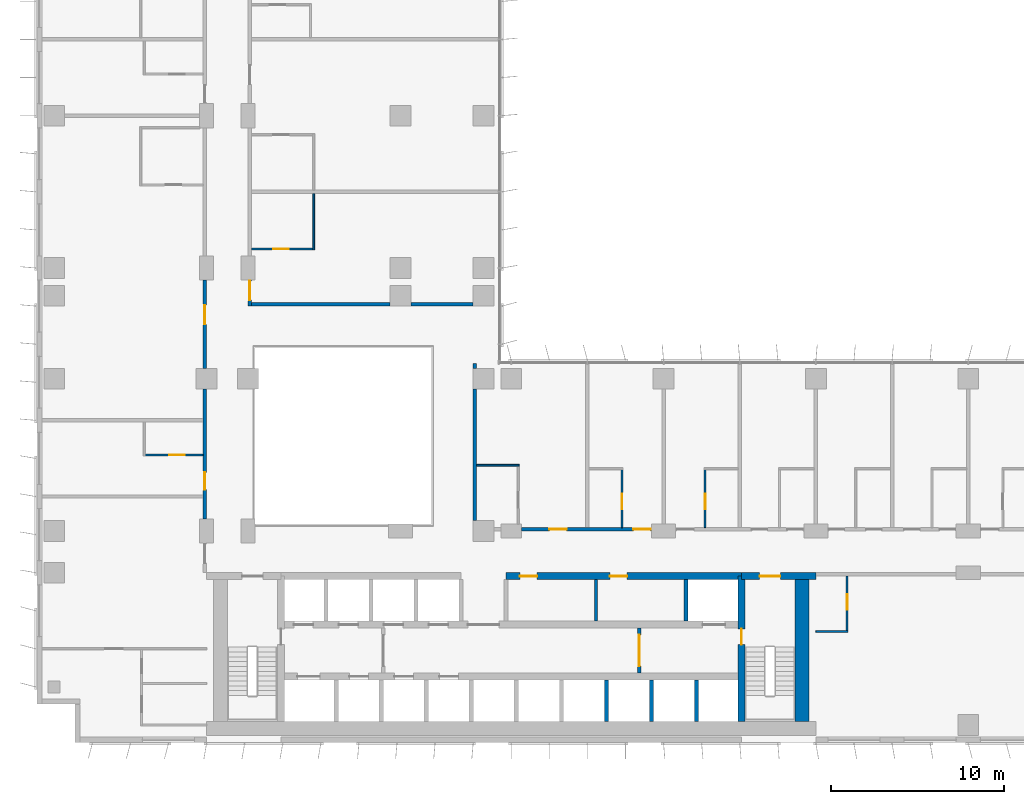
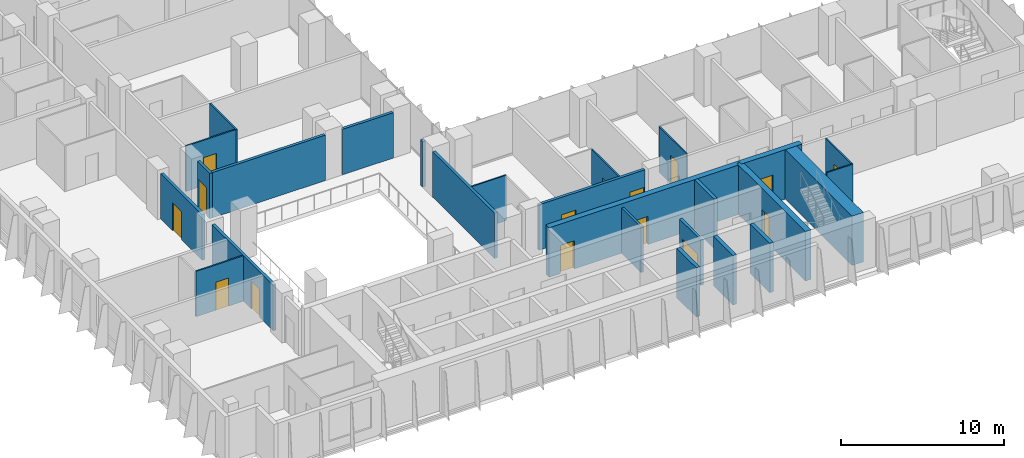
# One storey, part 13 of 22: 26 walls, 15 doors, 15 openings.
"""IFC4 building model written with IfcOpenShell, lengths in metres."""

from ifc_helpers import new_model, si_unit, direction, frame, frame_2d, origin, place, context, subcontext, project, spatial, rectangle, extrude, material, layer, layer_set, type_object, element, fill, save


model = new_model("IFC4")

# Units and contexts
model_context = context("Model", 3, precision=1e-05, world=origin(), true_north=direction((0.0, 1.0)))
body_context = subcontext(model_context, "Body", "Model", "MODEL_VIEW")
ifc_project = project(units=[si_unit("LENGTHUNIT", "METRE"), si_unit("AREAUNIT", "SQUARE_METRE"), si_unit("VOLUMEUNIT", "CUBIC_METRE"), si_unit("PLANEANGLEUNIT", "RADIAN"), si_unit("MASSUNIT", "GRAM", prefix="KILO")], contexts=[model_context])

# Site, building, storey
site_placement = place(None, origin())
site = spatial("IfcSite", under=ifc_project, at=site_placement, CompositionType="ELEMENT")
building_placement = place(site_placement, origin())
building = spatial("IfcBuilding", under=site, at=building_placement, Name="Kemantara Hotel Tower", CompositionType="ELEMENT")
storey_placement = place(building_placement, frame((0.0, 0.0, 107.39990234375)))
storey = spatial("IfcBuildingStorey", under=building, at=storey_placement, Name="L25", CompositionType="ELEMENT", Elevation=107.39990234375)

# Walls
ifc_material_1 = material(Name="Concrete fc 70 MPa", Category="concrete")
ifc_layer_1 = layer(ifc_material_1, 0.25)
ifc_layer_set_1 = layer_set([ifc_layer_1], Name="Concrete fc 70 MPa")
wall_type_1 = type_object("IfcWallType", Name="CORE WALL 250 FC70", PredefinedType="SHEAR", material=ifc_layer_set_1)
for number, where, z_axis, x_axis, name in (
    (1, (32.89990234375, 1.199951171875, 0.0), (0.0, 0.0, 1.0), (0.0, 1.0, 0.0), "CORE WALL CW-DS32.9"),
    (2, (35.5, 1.199951171875, 0.0), (0.0, 0.0, 1.0), (0.0, 1.0, 0.0), "CORE WALL CW-DS35.5"),
    (3, (38.10009765625, 1.199951171875, 0.0), (0.0, 0.0, 1.0), (0.0, 1.0, 0.0), "CORE WALL CW-DS38.1"),
):
    element("IfcWall", number, at=place(storey_placement, frame(where, z_axis=z_axis, x_axis=x_axis)), inside=storey, type_object=wall_type_1, Name=name, PredefinedType="SHEAR", context=body_context, shape_type="SweptSolid", body=[
        extrude(rectangle(XDim=2.400146484375, YDim=0.25, at=frame_2d((1.2001953125, 0.0))), origin(), (0.0, 0.0, 1.0), 3.7001953125),
    ])
wall_1_placement = place(storey_placement, frame((37.5, 7.0, 0.0), z_axis=(0.0, 0.0, 1.0), x_axis=(0.0, 1.0, 0.0)))
element("IfcWall", 4, at=wall_1_placement, inside=storey, type_object=wall_type_1, Name="CORE WALL CW-DN37.5", PredefinedType="SHEAR", context=body_context, shape_type="SweptSolid", body=[
    extrude(rectangle(XDim=2.39990234375, YDim=0.25, at=frame_2d((1.199951171875, 0.0))), origin(), (0.0, 0.0, 1.0), 3.7001953125),
])

# Wall, opening, door
ifc_layer_2 = layer(ifc_material_1, 0.39990234375)
ifc_layer_set_2 = layer_set([ifc_layer_2], Name="Concrete fc 70 MPa")
wall_type_2 = type_object("IfcWallType", Name="CORE WALL 400 FC70", PredefinedType="SHEAR", material=ifc_layer_set_2)
wall_2_placement = place(storey_placement, frame((40.699951171875, 9.60009765625, 0.0), z_axis=(0.0, 0.0, 1.0), x_axis=(1.0, 0.0, 0.0)))
wall_2 = element("IfcWall", 5, at=wall_2_placement, inside=storey, type_object=wall_type_2, Name="CORE WALL CW-N2", PredefinedType="SHEAR", context=body_context, shape_type="SweptSolid", body=[
    extrude(rectangle(XDim=4.300048828125, YDim=0.39990234375, at=frame_2d((2.14990234375, 0.0))), origin(), (0.0, 0.0, 1.0), 3.7001953125),
])
opening_1_placement = place(wall_2_placement, frame((1.050048828125, 0.0, 0.0)))
opening_1 = element("IfcOpeningElement", 6, at=opening_1_placement, cuts=wall_2, Name="Opening C18-ST2-C", PredefinedType="OPENING", context=body_context, shape_type="SweptSolid", body=[
    extrude(rectangle(XDim=1.199951171875, YDim=2.10009765625, at=frame_2d((0.60009765625, 1.050048828125))), frame((0.0, 0.2099609375, 0.0), z_axis=(0.0, -1.0, 0.0), x_axis=(1.0, 0.0, 0.0)), (0.0, 0.0, 1.0), 0.419921875),
])
ifc_material_2 = material(Name="Steel fire door", Category="steel")
door_type_1 = type_object("IfcDoorType", Name="Fire door FD90 1200 x 2100", OperationType="NOTDEFINED", PredefinedType="DOOR", material=ifc_material_2)
door_1_placement = place(opening_1_placement, frame((1.199951171875, 0.0, 0.0), z_axis=(0.0, 0.0, 1.0), x_axis=(-1.0, 0.0, 0.0)))
door_1 = element("IfcDoor", 7, at=door_1_placement, inside=storey, type_object=door_type_1, Name="Stair ST2 door to corridor", OperationType="SINGLE_SWING_RIGHT", OverallHeight=2.10009765625, OverallWidth=1.199951171875, PredefinedType="DOOR", context=body_context, shape_type="SweptSolid", body=[
    extrude(rectangle(XDim=1.199951171875, YDim=2.10009765625, at=frame_2d((0.60009765625, 1.050048828125))), frame((0.0, 0.02490234375, 0.0), z_axis=(0.0, -1.0, 0.0), x_axis=(1.0, 0.0, 0.0)), (0.0, 0.0, 1.0), 0.050048828125),
])
fill(opening_1, door_1)

# Wall, openings, doors
wall_3_placement = place(storey_placement, frame((27.10009765625, 9.60009765625, 0.0), z_axis=(0.0, 0.0, 1.0), x_axis=(1.0, 0.0, 0.0)))
wall_3 = element("IfcWall", 8, at=wall_3_placement, inside=storey, type_object=wall_type_2, Name="CORE WALL CW-NN2", PredefinedType="SHEAR", context=body_context, shape_type="SweptSolid", body=[
    extrude(rectangle(XDim=13.599853515625, YDim=0.39990234375, at=frame_2d((6.7998046875, 0.0))), origin(), (0.0, 0.0, 1.0), 3.7001953125),
])
opening_2_placement = place(wall_3_placement, frame((0.800048828125, 0.0, 0.0)))
opening_2 = element("IfcOpeningElement", 9, at=opening_2_placement, cuts=wall_3, Name="Opening C18-R-NE1", PredefinedType="OPENING", context=body_context, shape_type="SweptSolid", body=[
    extrude(rectangle(XDim=1.0, YDim=2.10009765625, at=frame_2d((0.5, 1.050048828125))), frame((0.0, 0.2099609375, 0.0), z_axis=(0.0, -1.0, 0.0), x_axis=(1.0, 0.0, 0.0)), (0.0, 0.0, 1.0), 0.419921875),
])
opening_3_placement = place(wall_3_placement, frame((6.0, 0.0, 0.0)))
opening_3 = element("IfcOpeningElement", 10, at=opening_3_placement, cuts=wall_3, Name="Opening C18-R-NE2", PredefinedType="OPENING", context=body_context, shape_type="SweptSolid", body=[
    extrude(rectangle(XDim=1.0, YDim=2.10009765625, at=frame_2d((0.5, 1.050048828125))), frame((0.0, 0.2099609375, 0.0), z_axis=(0.0, -1.0, 0.0), x_axis=(1.0, 0.0, 0.0)), (0.0, 0.0, 1.0), 0.419921875),
])
door_type_2 = type_object("IfcDoorType", Name="Fire door FD30S 1000 x 2100", OperationType="NOTDEFINED", PredefinedType="DOOR", material=ifc_material_2)
door_2_placement = place(opening_2_placement, frame((1.0, 0.0, 0.0), z_axis=(0.0, 0.0, 1.0), x_axis=(-1.0, 0.0, 0.0)))
door_2 = element("IfcDoor", 11, at=door_2_placement, inside=storey, type_object=door_type_2, Name="Linen Store door", OperationType="SINGLE_SWING_RIGHT", OverallHeight=2.10009765625, OverallWidth=1.0, PredefinedType="DOOR", context=body_context, shape_type="SweptSolid", body=[
    extrude(rectangle(XDim=1.0, YDim=2.10009765625, at=frame_2d((0.5, 1.050048828125))), frame((0.0, 0.02490234375, 0.0), z_axis=(0.0, -1.0, 0.0), x_axis=(1.0, 0.0, 0.0)), (0.0, 0.0, 1.0), 0.050048828125),
])
fill(opening_2, door_2)
door_3_placement = place(opening_3_placement, frame((1.0, 0.0, 0.0), z_axis=(0.0, 0.0, 1.0), x_axis=(-1.0, 0.0, 0.0)))
door_3 = element("IfcDoor", 12, at=door_3_placement, inside=storey, type_object=door_type_2, Name="Staff Lounge door", OperationType="SINGLE_SWING_RIGHT", OverallHeight=2.10009765625, OverallWidth=1.0, PredefinedType="DOOR", context=body_context, shape_type="SweptSolid", body=[
    extrude(rectangle(XDim=1.0, YDim=2.10009765625, at=frame_2d((0.5, 1.050048828125))), frame((0.0, 0.02490234375, 0.0), z_axis=(0.0, -1.0, 0.0), x_axis=(1.0, 0.0, 0.0)), (0.0, 0.0, 1.0), 0.050048828125),
])
fill(opening_3, door_3)

# Wall, opening, door
wall_4_placement = place(storey_placement, frame((40.699951171875, 1.199951171875, 0.0), z_axis=(0.0, 0.0, 1.0), x_axis=(0.0, 1.0, 0.0)))
wall_4 = element("IfcWall", 13, at=wall_4_placement, inside=storey, type_object=wall_type_2, Name="CORE WALL CW-ST2W", PredefinedType="SHEAR", context=body_context, shape_type="SweptSolid", body=[
    extrude(rectangle(XDim=8.400146484375, YDim=0.39990234375, at=frame_2d((4.2001953125, 0.0))), origin(), (0.0, 0.0, 1.0), 3.7001953125),
])
opening_4_placement = place(wall_4_placement, frame((4.449951171875, 0.0, 0.0)))
opening_4 = element("IfcOpeningElement", 14, at=opening_4_placement, cuts=wall_4, Name="Opening C18-ST2-F", PredefinedType="OPENING", context=body_context, shape_type="SweptSolid", body=[
    extrude(rectangle(XDim=0.89990234375, YDim=2.10009765625, at=frame_2d((0.449951171875, 1.050048828125))), frame((0.0, 0.2099609375, 0.0), z_axis=(0.0, -1.0, 0.0), x_axis=(1.0, 0.0, 0.0)), (0.0, 0.0, 1.0), 0.419921875),
])
door_type_3 = type_object("IfcDoorType", Name="Fire door FD90 900 x 2100", OperationType="NOTDEFINED", PredefinedType="DOOR", material=ifc_material_2)
door_4_placement = place(opening_4_placement, frame((0.89990234375, 0.0, 0.0), z_axis=(0.0, 0.0, 1.0), x_axis=(-1.0, 0.0, 0.0)))
door_4 = element("IfcDoor", 15, at=door_4_placement, inside=storey, type_object=door_type_3, Name="Stair ST2 door to firefighting lobby", OperationType="SINGLE_SWING_LEFT", OverallHeight=2.10009765625, OverallWidth=0.89990234375, PredefinedType="DOOR", context=body_context, shape_type="SweptSolid", body=[
    extrude(rectangle(XDim=0.89990234375, YDim=2.10009765625, at=frame_2d((0.449951171875, 1.050048828125))), frame((0.0, 0.02490234375, 0.0), z_axis=(0.0, -1.0, 0.0), x_axis=(1.0, 0.0, 0.0)), (0.0, 0.0, 1.0), 0.050048828125),
])
fill(opening_4, door_4)

# Wall
ifc_layer_3 = layer(ifc_material_1, 0.800048828125)
ifc_layer_set_3 = layer_set([ifc_layer_3], Name="Concrete fc 70 MPa")
wall_type_3 = type_object("IfcWallType", Name="CORE WALL 800 FC70", PredefinedType="SHEAR", material=ifc_layer_set_3)
wall_5_placement = place(storey_placement, frame((44.199951171875, 1.199951171875, 0.0), z_axis=(0.0, 0.0, 1.0), x_axis=(0.0, 1.0, 0.0)))
element("IfcWall", 16, at=wall_5_placement, inside=storey, type_object=wall_type_3, Name="CORE WALL CW-E", PredefinedType="SHEAR", context=body_context, shape_type="SweptSolid", body=[
    extrude(rectangle(XDim=8.60009765625, YDim=0.800048828125, at=frame_2d((4.300048828125, 0.0))), origin(), (0.0, 0.0, 1.0), 3.7001953125),
])

# Wall, openings, doors
ifc_material_3 = material(Name="Gypsum board partition, steel studs and mineral wool, 200 mm", Category="steel")
ifc_layer_4 = layer(ifc_material_3, 0.199951171875)
ifc_layer_set_4 = layer_set([ifc_layer_4], Name="Gypsum board partition, steel studs and mineral wool, 200 mm")
wall_type_4 = type_object("IfcWallType", Name="CORRIDOR WALL 200", PredefinedType="PARTITIONING", material=ifc_layer_set_4)
wall_6_placement = place(storey_placement, frame((28.0, 12.300048828125, 0.0), z_axis=(0.0, 0.0, 1.0), x_axis=(1.0, 0.0, 0.0)))
wall_6 = element("IfcWall", 17, at=wall_6_placement, inside=storey, type_object=wall_type_4, Name="CORRIDOR WALL 200 004", PredefinedType="PARTITIONING", context=body_context, shape_type="SweptSolid", body=[
    extrude(rectangle(XDim=7.5, YDim=0.199951171875, at=frame_2d((3.75, 0.0))), origin(), (0.0, 0.0, 1.0), 3.400146484375),
])
opening_5_placement = place(wall_6_placement, frame((1.599853515625, 0.0, 0.0)))
opening_5 = element("IfcOpeningElement", 18, at=opening_5_placement, cuts=wall_6, Name="Opening F11-003", PredefinedType="OPENING", context=body_context, shape_type="SweptSolid", body=[
    extrude(rectangle(XDim=1.0, YDim=2.10009765625, at=frame_2d((0.5, 1.050048828125))), frame((0.0, 0.10986328125, 0.0), z_axis=(0.0, -1.0, 0.0), x_axis=(1.0, 0.0, 0.0)), (0.0, 0.0, 1.0), 0.219970703125),
])
opening_6_placement = place(wall_6_placement, frame((6.449951171875, 0.0, 0.0)))
opening_6 = element("IfcOpeningElement", 19, at=opening_6_placement, cuts=wall_6, Name="Opening F11-005", PredefinedType="OPENING", context=body_context, shape_type="SweptSolid", body=[
    extrude(rectangle(XDim=1.0, YDim=2.10009765625, at=frame_2d((0.5, 1.050048828125))), frame((0.0, 0.10986328125, 0.0), z_axis=(0.0, -1.0, 0.0), x_axis=(1.0, 0.0, 0.0)), (0.0, 0.0, 1.0), 0.219970703125),
])
ifc_material_4 = material(Name="Hardwood veneer door leaf with steel frame", Category="steel")
door_type_4 = type_object("IfcDoorType", Name="GUEST ROOM DOOR 1000 X 2100 FD30S", OperationType="NOTDEFINED", PredefinedType="DOOR", material=ifc_material_4)
door_5_placement = place(opening_5_placement, origin())
door_5 = element("IfcDoor", 20, at=door_5_placement, inside=storey, type_object=door_type_4, Name="GUEST ROOM DOOR F11-003", OperationType="SINGLE_SWING_RIGHT", OverallHeight=2.10009765625, OverallWidth=1.0, PredefinedType="DOOR", context=body_context, shape_type="SweptSolid", body=[
    extrude(rectangle(XDim=1.0, YDim=2.10009765625, at=frame_2d((0.5, 1.050048828125))), frame((0.0, 0.02490234375, 0.0), z_axis=(0.0, -1.0, 0.0), x_axis=(1.0, 0.0, 0.0)), (0.0, 0.0, 1.0), 0.050048828125),
])
fill(opening_5, door_5)
door_6_placement = place(opening_6_placement, origin())
door_6 = element("IfcDoor", 21, at=door_6_placement, inside=storey, type_object=door_type_4, Name="GUEST ROOM DOOR F11-005", OperationType="SINGLE_SWING_RIGHT", OverallHeight=2.10009765625, OverallWidth=1.0, PredefinedType="DOOR", context=body_context, shape_type="SweptSolid", body=[
    extrude(rectangle(XDim=1.0, YDim=2.10009765625, at=frame_2d((0.5, 1.050048828125))), frame((0.0, 0.02490234375, 0.0), z_axis=(0.0, -1.0, 0.0), x_axis=(1.0, 0.0, 0.0)), (0.0, 0.0, 1.0), 0.050048828125),
])
fill(opening_6, door_6)

# Wall, opening, door
wall_7_placement = place(storey_placement, frame((9.699951171875, 12.900146484375, 0.0), z_axis=(0.0, 0.0, 1.0), x_axis=(0.0, 1.0, 0.0)))
wall_7 = element("IfcWall", 22, at=wall_7_placement, inside=storey, type_object=wall_type_4, Name="CORRIDOR WALL 200 017", PredefinedType="PARTITIONING", context=body_context, shape_type="SweptSolid", body=[
    extrude(rectangle(XDim=7.499755859375, YDim=0.199951171875, at=frame_2d((3.75, 0.0))), origin(), (0.0, 0.0, 1.0), 3.400146484375),
])
opening_7_placement = place(wall_7_placement, frame((1.699951171875, 0.0, 0.0)))
opening_7 = element("IfcOpeningElement", 23, at=opening_7_placement, cuts=wall_7, Name="Opening F11-021", PredefinedType="OPENING", context=body_context, shape_type="SweptSolid", body=[
    extrude(rectangle(XDim=1.0, YDim=2.10009765625, at=frame_2d((0.5, 1.050048828125))), frame((0.0, 0.10986328125, 0.0), z_axis=(0.0, -1.0, 0.0), x_axis=(1.0, 0.0, 0.0)), (0.0, 0.0, 1.0), 0.219970703125),
])
door_7_placement = place(opening_7_placement, origin())
door_7 = element("IfcDoor", 24, at=door_7_placement, inside=storey, type_object=door_type_4, Name="GUEST ROOM DOOR F11-021", OperationType="SINGLE_SWING_LEFT", OverallHeight=2.10009765625, OverallWidth=1.0, PredefinedType="DOOR", context=body_context, shape_type="SweptSolid", body=[
    extrude(rectangle(XDim=1.0, YDim=2.10009765625, at=frame_2d((0.5, 1.050048828125))), frame((0.0, 0.02490234375, 0.0), z_axis=(0.0, -1.0, 0.0), x_axis=(1.0, 0.0, 0.0)), (0.0, 0.0, 1.0), 0.050048828125),
])
fill(opening_7, door_7)

wall_8_placement = place(storey_placement, frame((9.699951171875, 21.60009765625, 0.0), z_axis=(0.0, 0.0, 1.0), x_axis=(0.0, 1.0, 0.0)))
wall_8 = element("IfcWall", 25, at=wall_8_placement, inside=storey, type_object=wall_type_4, Name="CORRIDOR WALL 200 018", PredefinedType="PARTITIONING", context=body_context, shape_type="SweptSolid", body=[
    extrude(rectangle(XDim=5.099853515625, YDim=0.199951171875, at=frame_2d((2.5498046875, 0.0))), origin(), (0.0, 0.0, 1.0), 3.400146484375),
])
opening_8_placement = place(wall_8_placement, frame((2.5498046875, 0.0, 0.0)))
opening_8 = element("IfcOpeningElement", 26, at=opening_8_placement, cuts=wall_8, Name="Opening F11-023", PredefinedType="OPENING", context=body_context, shape_type="SweptSolid", body=[
    extrude(rectangle(XDim=1.10009765625, YDim=2.10009765625, at=frame_2d((0.550048828125, 1.050048828125))), frame((0.0, 0.10986328125, 0.0), z_axis=(0.0, -1.0, 0.0), x_axis=(1.0, 0.0, 0.0)), (0.0, 0.0, 1.0), 0.219970703125),
])
door_type_5 = type_object("IfcDoorType", Name="SUITE ENTRANCE DOOR 1100 X 2100 FD30S", OperationType="NOTDEFINED", PredefinedType="DOOR", material=ifc_material_4)
door_8_placement = place(opening_8_placement, origin())
door_8 = element("IfcDoor", 27, at=door_8_placement, inside=storey, type_object=door_type_5, Name="SUITE ENTRANCE DOOR F11-023", OperationType="SINGLE_SWING_LEFT", OverallHeight=2.10009765625, OverallWidth=1.10009765625, PredefinedType="DOOR", context=body_context, shape_type="SweptSolid", body=[
    extrude(rectangle(XDim=1.10009765625, YDim=2.10009765625, at=frame_2d((0.550048828125, 1.050048828125))), frame((0.0, 0.02490234375, 0.0), z_axis=(0.0, -1.0, 0.0), x_axis=(1.0, 0.0, 0.0)), (0.0, 0.0, 1.0), 0.050048828125),
])
fill(opening_8, door_8)

wall_9_placement = place(storey_placement, frame((12.300048828125, 26.699951171875, 0.0), z_axis=(0.0, 0.0, 1.0), x_axis=(0.0, -1.0, 0.0)))
wall_9 = element("IfcWall", 28, at=wall_9_placement, inside=storey, type_object=wall_type_4, Name="CORRIDOR WALL 200 033", PredefinedType="PARTITIONING", context=body_context, shape_type="SweptSolid", body=[
    extrude(rectangle(XDim=1.5, YDim=0.199951171875, at=frame_2d((0.75, 0.0))), origin(), (0.0, 0.0, 1.0), 3.400146484375),
])
opening_9_placement = place(wall_9_placement, frame((0.0498046875, 0.0, 0.0)))
opening_9 = element("IfcOpeningElement", 29, at=opening_9_placement, cuts=wall_9, Name="Opening F11-037", PredefinedType="OPENING", context=body_context, shape_type="SweptSolid", body=[
    extrude(rectangle(XDim=1.10009765625, YDim=2.10009765625, at=frame_2d((0.550048828125, 1.050048828125))), frame((0.0, 0.10986328125, 0.0), z_axis=(0.0, -1.0, 0.0), x_axis=(1.0, 0.0, 0.0)), (0.0, 0.0, 1.0), 0.219970703125),
])
door_9_placement = place(opening_9_placement, origin())
door_9 = element("IfcDoor", 30, at=door_9_placement, inside=storey, type_object=door_type_5, Name="SUITE ENTRANCE DOOR F11-037", OperationType="SINGLE_SWING_RIGHT", OverallHeight=2.10009765625, OverallWidth=1.10009765625, PredefinedType="DOOR", context=body_context, shape_type="SweptSolid", body=[
    extrude(rectangle(XDim=1.10009765625, YDim=2.10009765625, at=frame_2d((0.550048828125, 1.050048828125))), frame((0.0, 0.02490234375, 0.0), z_axis=(0.0, -1.0, 0.0), x_axis=(1.0, 0.0, 0.0)), (0.0, 0.0, 1.0), 0.050048828125),
])
fill(opening_9, door_9)

# Walls
ifc_layer_5 = layer(ifc_material_3, 0.199951171875)
ifc_layer_set_5 = layer_set([ifc_layer_5], Name="Gypsum board partition, steel studs and mineral wool, 200 mm")
wall_type_5 = type_object("IfcWallType", Name="GUEST ROOM PARTY WALL 200", PredefinedType="PARTITIONING", material=ifc_layer_set_5)
wall_10_placement = place(storey_placement, frame((25.300048828125, 12.800048828125, 0.0), z_axis=(0.0, 0.0, 1.0), x_axis=(0.0, 1.0, 0.0)))
element("IfcWall", 31, at=wall_10_placement, inside=storey, type_object=wall_type_5, Name="GUEST ROOM PARTY WALL 200 008", PredefinedType="PARTITIONING", context=body_context, shape_type="SweptSolid", body=[
    extrude(rectangle(XDim=7.599853515625, YDim=0.199951171875, at=frame_2d((3.7998046875, 0.0))), origin(), (0.0, 0.0, 1.0), 3.400146484375),
])
wall_11_placement = place(storey_placement, frame((25.300048828125, 21.60009765625, 0.0), z_axis=(0.0, 0.0, 1.0), x_axis=(0.0, 1.0, 0.0)))
element("IfcWall", 32, at=wall_11_placement, inside=storey, type_object=wall_type_5, Name="GUEST ROOM PARTY WALL 200 009", PredefinedType="PARTITIONING", context=body_context, shape_type="SweptSolid", body=[
    extrude(rectangle(XDim=0.27001953125, YDim=0.199951171875, at=frame_2d((0.135009765625, 0.0))), origin(), (0.0, 0.0, 1.0), 3.400146484375),
])
wall_12_placement = place(storey_placement, frame((12.39990234375, 25.300048828125, 0.0), z_axis=(0.0, 0.0, 1.0), x_axis=(1.0, 0.0, 0.0)))
element("IfcWall", 33, at=wall_12_placement, inside=storey, type_object=wall_type_5, Name="GUEST ROOM PARTY WALL 200 040", PredefinedType="PARTITIONING", context=body_context, shape_type="SweptSolid", body=[
    extrude(rectangle(XDim=8.0, YDim=0.199951171875, at=frame_2d((4.0, 0.0))), origin(), (0.0, 0.0, 1.0), 3.400146484375),
])
wall_13_placement = place(storey_placement, frame((21.60009765625, 25.300048828125, 0.0), z_axis=(0.0, 0.0, 1.0), x_axis=(1.0, 0.0, 0.0)))
element("IfcWall", 34, at=wall_13_placement, inside=storey, type_object=wall_type_5, Name="GUEST ROOM PARTY WALL 200 041", PredefinedType="PARTITIONING", context=body_context, shape_type="SweptSolid", body=[
    extrude(rectangle(XDim=3.599853515625, YDim=0.199951171875, at=frame_2d((1.7998046875, 0.0))), origin(), (0.0, 0.0, 1.0), 3.400146484375),
])
ifc_material_5 = material(Name="Gypsum board partition")
ifc_layer_6 = layer(ifc_material_5, 0.14990234375)
ifc_layer_set_6 = layer_set([ifc_layer_6], Name="Gypsum board partition")
wall_type_6 = type_object("IfcWallType", Name="Gypsum board partition 150 mm", PredefinedType="PARTITIONING", material=ifc_layer_set_6)
wall_14_placement = place(storey_placement, frame((32.300048828125, 7.0, 0.0), z_axis=(0.0, 0.0, 1.0), x_axis=(0.0, 1.0, 0.0)))
element("IfcWall", 35, at=wall_14_placement, inside=storey, type_object=wall_type_6, Name="Core room partition", PredefinedType="PARTITIONING", context=body_context, shape_type="SweptSolid", body=[
    extrude(rectangle(XDim=2.39990234375, YDim=0.14990234375, at=frame_2d((1.199951171875, 0.0))), origin(), (0.0, 0.0, 1.0), 3.400146484375),
])

# Wall, opening, door
ifc_material_6 = material(Name="Gypsum board shaft wall")
ifc_layer_7 = layer(ifc_material_6, 0.199951171875)
ifc_layer_set_7 = layer_set([ifc_layer_7], Name="Gypsum board shaft wall")
wall_type_7 = type_object("IfcWallType", Name="Gypsum board shaft wall 200 mm", PredefinedType="PARTITIONING", material=ifc_layer_set_7)
wall_15_placement = place(storey_placement, frame((34.800048828125, 4.0, 0.0), z_axis=(0.0, 0.0, 1.0), x_axis=(0.0, 1.0, 0.0)))
wall_15 = element("IfcWall", 36, at=wall_15_placement, inside=storey, type_object=wall_type_7, Name="Firefighting lobby partition east", PredefinedType="PARTITIONING", context=body_context, shape_type="SweptSolid", body=[
    extrude(rectangle(XDim=2.60009765625, YDim=0.199951171875, at=frame_2d((1.300048828125, 0.0))), origin(), (0.0, 0.0, 1.0), 3.400146484375),
])
opening_10_placement = place(wall_15_placement, frame((0.39990234375, 0.0, 0.0)))
opening_10 = element("IfcOpeningElement", 37, at=opening_10_placement, cuts=wall_15, Name="Opening C18-FFE", PredefinedType="OPENING", context=body_context, shape_type="SweptSolid", body=[
    extrude(rectangle(XDim=1.800048828125, YDim=2.10009765625, at=frame_2d((0.89990234375, 1.050048828125))), frame((0.0, 0.10986328125, 0.0), z_axis=(0.0, -1.0, 0.0), x_axis=(1.0, 0.0, 0.0)), (0.0, 0.0, 1.0), 0.219970703125),
])
door_type_6 = type_object("IfcDoorType", Name="Fire door pair FD60 1800 x 2100", OperationType="DOUBLE_DOOR_SINGLE_SWING", PredefinedType="DOOR", material=ifc_material_2)
door_10_placement = place(opening_10_placement, frame((1.800048828125, 0.0, 0.0), z_axis=(0.0, 0.0, 1.0), x_axis=(-1.0, 0.0, 0.0)))
door_10 = element("IfcDoor", 38, at=door_10_placement, inside=storey, type_object=door_type_6, Name="Firefighting lobby door east", OperationType="DOUBLE_DOOR_SINGLE_SWING", OverallHeight=2.10009765625, OverallWidth=1.800048828125, PredefinedType="DOOR", context=body_context, shape_type="SweptSolid", body=[
    extrude(rectangle(XDim=1.800048828125, YDim=2.10009765625, at=frame_2d((0.89990234375, 1.050048828125))), frame((0.0, 0.02490234375, 0.0), z_axis=(0.0, -1.0, 0.0), x_axis=(1.0, 0.0, 0.0)), (0.0, 0.0, 1.0), 0.050048828125),
])
fill(opening_10, door_10)

# Wall
ifc_material_7 = material(Name="Gypsum board partition on steel studs, 100 mm", Category="steel")
ifc_layer_8 = layer(ifc_material_7, 0.10009765625)
ifc_layer_set_8 = layer_set([ifc_layer_8], Name="Gypsum board partition on steel studs, 100 mm")
wall_type_8 = type_object("IfcWallType", Name="ROOM PARTITION 100", PredefinedType="PARTITIONING", material=ifc_layer_set_8)
wall_16_placement = place(storey_placement, frame((45.0, 6.39990234375, 0.0), z_axis=(0.0, 0.0, 1.0), x_axis=(1.0, 0.0, 0.0)))
element("IfcWall", 39, at=wall_16_placement, inside=storey, type_object=wall_type_8, Name="ROOM PARTITION 100 050", PredefinedType="PARTITIONING", context=body_context, shape_type="SweptSolid", body=[
    extrude(rectangle(XDim=1.85009765625, YDim=0.10009765625, at=frame_2d((0.925048828125, 0.0))), origin(), (0.0, 0.0, 1.0), 3.400146484375),
])

# Wall, opening, door
wall_17_placement = place(storey_placement, frame((46.800048828125, 6.449951171875, 0.0), z_axis=(0.0, 0.0, 1.0), x_axis=(0.0, 1.0, 0.0)))
wall_17 = element("IfcWall", 40, at=wall_17_placement, inside=storey, type_object=wall_type_8, Name="ROOM PARTITION 100 051", PredefinedType="PARTITIONING", context=body_context, shape_type="SweptSolid", body=[
    extrude(rectangle(XDim=3.150146484375, YDim=0.10009765625, at=frame_2d((1.5751953125, 0.0))), origin(), (0.0, 0.0, 1.0), 3.400146484375),
])
opening_11_placement = place(wall_17_placement, frame((1.199951171875, 0.0, 0.0)))
opening_11 = element("IfcOpeningElement", 41, at=opening_11_placement, cuts=wall_17, Name="Opening F11-002", PredefinedType="OPENING", context=body_context, shape_type="SweptSolid", body=[
    extrude(rectangle(XDim=0.89990234375, YDim=2.10009765625, at=frame_2d((0.449951171875, 1.050048828125))), frame((0.0, 0.06005859375, 0.0), z_axis=(0.0, -1.0, 0.0), x_axis=(1.0, 0.0, 0.0)), (0.0, 0.0, 1.0), 0.1201171875),
])
door_type_7 = type_object("IfcDoorType", Name="PANTRY DOOR 900 X 2100", OperationType="NOTDEFINED", PredefinedType="DOOR", material=ifc_material_4)
door_11_placement = place(opening_11_placement, origin())
door_11 = element("IfcDoor", 42, at=door_11_placement, inside=storey, type_object=door_type_7, Name="PANTRY DOOR F11-002", OperationType="SINGLE_SWING_RIGHT", OverallHeight=2.10009765625, OverallWidth=0.89990234375, PredefinedType="DOOR", context=body_context, shape_type="SweptSolid", body=[
    extrude(rectangle(XDim=0.89990234375, YDim=2.10009765625, at=frame_2d((0.449951171875, 1.050048828125))), frame((0.0, 0.02490234375, 0.0), z_axis=(0.0, -1.0, 0.0), x_axis=(1.0, 0.0, 0.0)), (0.0, 0.0, 1.0), 0.050048828125),
])
fill(opening_11, door_11)

# Wall
wall_18_placement = place(storey_placement, frame((25.39990234375, 16.0, 0.0), z_axis=(0.0, 0.0, 1.0), x_axis=(1.0, 0.0, 0.0)))
element("IfcWall", 43, at=wall_18_placement, inside=storey, type_object=wall_type_8, Name="ROOM PARTITION 100 052", PredefinedType="PARTITIONING", context=body_context, shape_type="SweptSolid", body=[
    extrude(rectangle(XDim=2.4501953125, YDim=0.10009765625, at=frame_2d((1.22509765625, 0.0))), origin(), (0.0, 0.0, 1.0), 3.400146484375),
])

# Wall, opening, door
wall_19_placement = place(storey_placement, frame((33.800048828125, 12.39990234375, 0.0), z_axis=(0.0, 0.0, 1.0), x_axis=(0.0, 1.0, 0.0)))
wall_19 = element("IfcWall", 44, at=wall_19_placement, inside=storey, type_object=wall_type_8, Name="ROOM PARTITION 100 060", PredefinedType="PARTITIONING", context=body_context, shape_type="SweptSolid", body=[
    extrude(rectangle(XDim=3.35009765625, YDim=0.10009765625, at=frame_2d((1.675048828125, 0.0))), origin(), (0.0, 0.0, 1.0), 3.400146484375),
])
opening_12_placement = place(wall_19_placement, frame((1.050048828125, 0.0, 0.0)))
opening_12 = element("IfcOpeningElement", 45, at=opening_12_placement, cuts=wall_19, Name="Opening F11-006", PredefinedType="OPENING", context=body_context, shape_type="SweptSolid", body=[
    extrude(rectangle(XDim=0.89990234375, YDim=2.10009765625, at=frame_2d((0.449951171875, 1.050048828125))), frame((0.0, 0.06005859375, 0.0), z_axis=(0.0, -1.0, 0.0), x_axis=(1.0, 0.0, 0.0)), (0.0, 0.0, 1.0), 0.1201171875),
])
door_type_8 = type_object("IfcDoorType", Name="BATHROOM DOOR 900 X 2100", OperationType="NOTDEFINED", PredefinedType="DOOR", material=ifc_material_4)
door_12_placement = place(opening_12_placement, origin())
door_12 = element("IfcDoor", 46, at=door_12_placement, inside=storey, type_object=door_type_8, Name="BATHROOM DOOR F11-006", OperationType="SINGLE_SWING_LEFT", OverallHeight=2.10009765625, OverallWidth=0.89990234375, PredefinedType="DOOR", context=body_context, shape_type="SweptSolid", body=[
    extrude(rectangle(XDim=0.89990234375, YDim=2.10009765625, at=frame_2d((0.449951171875, 1.050048828125))), frame((0.0, 0.02490234375, 0.0), z_axis=(0.0, -1.0, 0.0), x_axis=(1.0, 0.0, 0.0)), (0.0, 0.0, 1.0), 0.050048828125),
])
fill(opening_12, door_12)

wall_20_placement = place(storey_placement, frame((38.60009765625, 15.75, 0.0), z_axis=(0.0, 0.0, 1.0), x_axis=(0.0, -1.0, 0.0)))
wall_20 = element("IfcWall", 47, at=wall_20_placement, inside=storey, type_object=wall_type_8, Name="ROOM PARTITION 100 061", PredefinedType="PARTITIONING", context=body_context, shape_type="SweptSolid", body=[
    extrude(rectangle(XDim=3.35009765625, YDim=0.10009765625, at=frame_2d((1.675048828125, 0.0))), origin(), (0.0, 0.0, 1.0), 3.400146484375),
])
opening_13_placement = place(wall_20_placement, frame((1.39990234375, 0.0, 0.0)))
opening_13 = element("IfcOpeningElement", 48, at=opening_13_placement, cuts=wall_20, Name="Opening F11-008", PredefinedType="OPENING", context=body_context, shape_type="SweptSolid", body=[
    extrude(rectangle(XDim=0.89990234375, YDim=2.10009765625, at=frame_2d((0.449951171875, 1.050048828125))), frame((0.0, 0.06005859375, 0.0), z_axis=(0.0, -1.0, 0.0), x_axis=(1.0, 0.0, 0.0)), (0.0, 0.0, 1.0), 0.1201171875),
])
door_13_placement = place(opening_13_placement, origin())
door_13 = element("IfcDoor", 49, at=door_13_placement, inside=storey, type_object=door_type_8, Name="BATHROOM DOOR F11-008", OperationType="SINGLE_SWING_RIGHT", OverallHeight=2.10009765625, OverallWidth=0.89990234375, PredefinedType="DOOR", context=body_context, shape_type="SweptSolid", body=[
    extrude(rectangle(XDim=0.89990234375, YDim=2.10009765625, at=frame_2d((0.449951171875, 1.050048828125))), frame((0.0, 0.02490234375, 0.0), z_axis=(0.0, -1.0, 0.0), x_axis=(1.0, 0.0, 0.0)), (0.0, 0.0, 1.0), 0.050048828125),
])
fill(opening_13, door_13)

wall_21_placement = place(storey_placement, frame((6.25, 16.60009765625, 0.0), z_axis=(0.0, 0.0, 1.0), x_axis=(1.0, 0.0, 0.0)))
wall_21 = element("IfcWall", 50, at=wall_21_placement, inside=storey, type_object=wall_type_8, Name="ROOM PARTITION 100 075", PredefinedType="PARTITIONING", context=body_context, shape_type="SweptSolid", body=[
    extrude(rectangle(XDim=3.35009765625, YDim=0.10009765625, at=frame_2d((1.675048828125, 0.0))), origin(), (0.0, 0.0, 1.0), 3.400146484375),
])
opening_14_placement = place(wall_21_placement, frame((1.39990234375, 0.0, 0.0)))
opening_14 = element("IfcOpeningElement", 51, at=opening_14_placement, cuts=wall_21, Name="Opening F11-022", PredefinedType="OPENING", context=body_context, shape_type="SweptSolid", body=[
    extrude(rectangle(XDim=0.89990234375, YDim=2.10009765625, at=frame_2d((0.449951171875, 1.050048828125))), frame((0.0, 0.06005859375, 0.0), z_axis=(0.0, -1.0, 0.0), x_axis=(1.0, 0.0, 0.0)), (0.0, 0.0, 1.0), 0.1201171875),
])
door_14_placement = place(opening_14_placement, origin())
door_14 = element("IfcDoor", 52, at=door_14_placement, inside=storey, type_object=door_type_8, Name="BATHROOM DOOR F11-022", OperationType="SINGLE_SWING_RIGHT", OverallHeight=2.10009765625, OverallWidth=0.89990234375, PredefinedType="DOOR", context=body_context, shape_type="SweptSolid", body=[
    extrude(rectangle(XDim=0.89990234375, YDim=2.10009765625, at=frame_2d((0.449951171875, 1.050048828125))), frame((0.0, 0.02490234375, 0.0), z_axis=(0.0, -1.0, 0.0), x_axis=(1.0, 0.0, 0.0)), (0.0, 0.0, 1.0), 0.050048828125),
])
fill(opening_14, door_14)

# Wall
wall_22_placement = place(storey_placement, frame((16.0, 28.449951171875, 0.0), z_axis=(0.0, 0.0, 1.0), x_axis=(0.0, 1.0, 0.0)))
element("IfcWall", 53, at=wall_22_placement, inside=storey, type_object=wall_type_8, Name="ROOM PARTITION 100 088", PredefinedType="PARTITIONING", context=body_context, shape_type="SweptSolid", body=[
    extrude(rectangle(XDim=3.25, YDim=0.10009765625, at=frame_2d((1.625, 0.0))), origin(), (0.0, 0.0, 1.0), 3.400146484375),
])

# Wall, opening, door
wall_23_placement = place(storey_placement, frame((12.39990234375, 28.5, 0.0), z_axis=(0.0, 0.0, 1.0), x_axis=(1.0, 0.0, 0.0)))
wall_23 = element("IfcWall", 54, at=wall_23_placement, inside=storey, type_object=wall_type_8, Name="ROOM PARTITION 100 092", PredefinedType="PARTITIONING", context=body_context, shape_type="SweptSolid", body=[
    extrude(rectangle(XDim=3.550048828125, YDim=0.10009765625, at=frame_2d((1.77490234375, 0.0))), origin(), (0.0, 0.0, 1.0), 3.400146484375),
])
opening_15_placement = place(wall_23_placement, frame((1.25, 0.0, 0.0)))
opening_15 = element("IfcOpeningElement", 55, at=opening_15_placement, cuts=wall_23, Name="Opening F11-038", PredefinedType="OPENING", context=body_context, shape_type="SweptSolid", body=[
    extrude(rectangle(XDim=0.89990234375, YDim=2.10009765625, at=frame_2d((0.449951171875, 1.050048828125))), frame((0.0, 0.06005859375, 0.0), z_axis=(0.0, -1.0, 0.0), x_axis=(1.0, 0.0, 0.0)), (0.0, 0.0, 1.0), 0.1201171875),
])
door_15_placement = place(opening_15_placement, origin())
door_15 = element("IfcDoor", 56, at=door_15_placement, inside=storey, type_object=door_type_8, Name="BATHROOM DOOR F11-038", OperationType="SINGLE_SWING_LEFT", OverallHeight=2.10009765625, OverallWidth=0.89990234375, PredefinedType="DOOR", context=body_context, shape_type="SweptSolid", body=[
    extrude(rectangle(XDim=0.89990234375, YDim=2.10009765625, at=frame_2d((0.449951171875, 1.050048828125))), frame((0.0, 0.02490234375, 0.0), z_axis=(0.0, -1.0, 0.0), x_axis=(1.0, 0.0, 0.0)), (0.0, 0.0, 1.0), 0.050048828125),
])
fill(opening_15, door_15)

save(model, "model.ifc")
